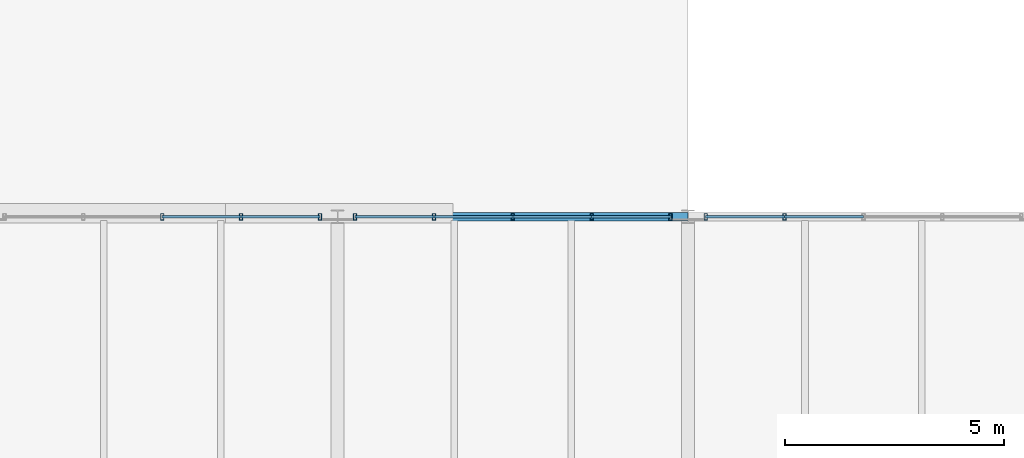
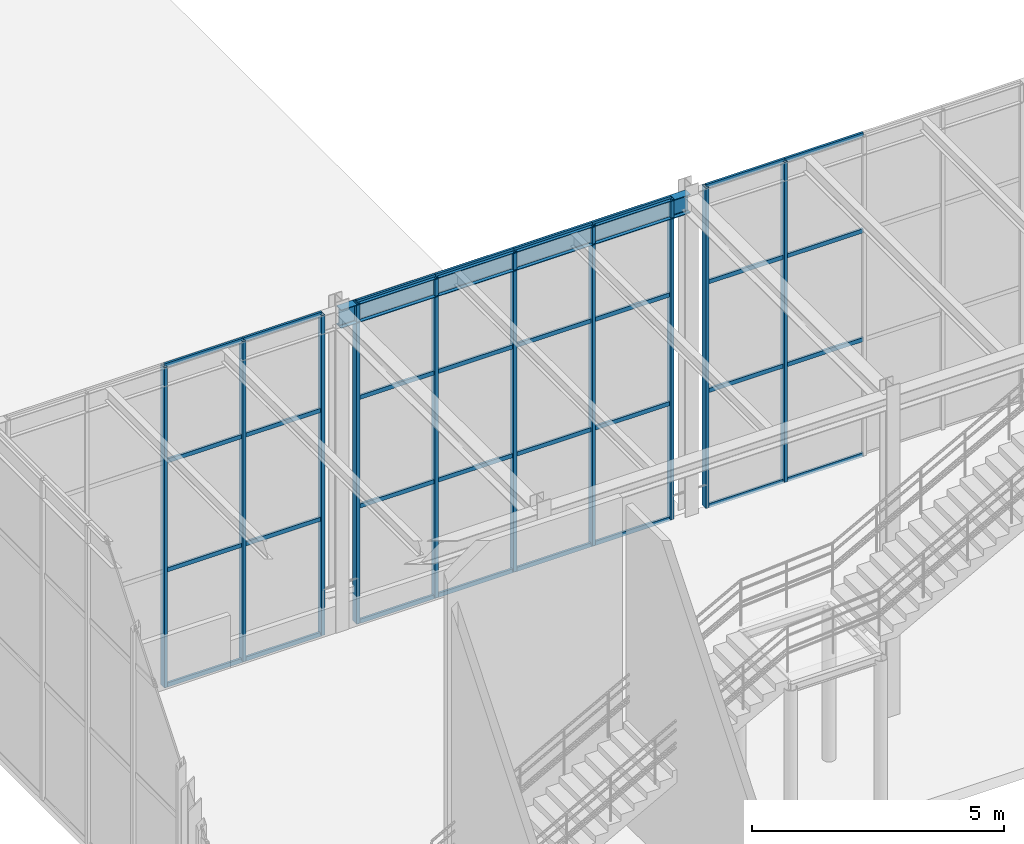
# One storey, part 50 of 138: 42 members, 1 beam, 3 elements without a shape of their own.
"""IFC4 building model written with IfcOpenShell, lengths in metres."""

from ifc_helpers import new_model, si_unit, direction, frame, origin, origin_2d, place, context, subcontext, project, spatial, hollow_rectangle, i_section, extrude, material, material_profile, profile_set, type_object, element, aggregate, save


model = new_model("IFC4")

# Units and contexts
model_context = context("Model", 3, precision=1e-05, world=origin(), true_north=direction((0.0, 1.0)))
body_context = subcontext(model_context, "Body", "Model", "MODEL_VIEW")
ifc_project = project(units=[si_unit("LENGTHUNIT", "METRE"), si_unit("AREAUNIT", "SQUARE_METRE"), si_unit("VOLUMEUNIT", "CUBIC_METRE"), si_unit("PLANEANGLEUNIT", "RADIAN"), si_unit("MASSUNIT", "GRAM", prefix="KILO")], contexts=[model_context])

# Site, building, storey
site_placement = place(None, origin())
site = spatial("IfcSite", under=ifc_project, at=site_placement, CompositionType="ELEMENT")
building_placement = place(site_placement, origin())
building = spatial("IfcBuilding", under=site, at=building_placement, Name="Sundkrona Museum", CompositionType="ELEMENT")
storey_placement = place(building_placement, frame((0.0, 0.0, 9.60009765625)))
storey = spatial("IfcBuildingStorey", under=building, at=storey_placement, Name="L02", CompositionType="ELEMENT", Elevation=9.60009765625)

# Curtain wall, members
ifc_material_1 = material(Name="Unitised Aluminium-Steel and Ceramic-Clad Curtain Walling", Category="steel")
curtain_wall_type = type_object("IfcCurtainWallType", Name="CW-AT-72x74", PredefinedType="NOTDEFINED", material=ifc_material_1)
curtain_wall_1_placement = place(storey_placement, origin())
curtain_wall_1 = element("IfcCurtainWall", 1, at=curtain_wall_1_placement, inside=storey, type_object=curtain_wall_type, Name="L02 Curtain Wall CW-L02-053", PredefinedType="NOTDEFINED")
ifc_material_2 = material(Name="Aluminium EN AW-6060 T66", Category="aluminium")
ifc_material_profile_1 = material_profile(ifc_material_2, hollow_rectangle(XDim=0.074951171875, YDim=0.14990234375, WallThickness=0.00634765625, at=origin_2d()), Name="RHS 150x75x6.3")
ifc_profile_set_1 = profile_set([ifc_material_profile_1], Name="Aluminium EN AW-6060 T66")
member_type_1 = type_object("IfcMemberType", Name="ML-150", PredefinedType="MULLION", material=ifc_profile_set_1)
member_1_placement = place(storey_placement, frame((84.0, 40.0, -0.004150390625), z_axis=(0.0, 0.0, 1.0), x_axis=(1.0, 0.0, 0.0)))
member_1 = element("IfcMember", 2, at=member_1_placement, type_object=member_type_1, Name="CW-L02-053 Mullion 03", PredefinedType="MULLION", context=body_context, shape_type="SweptSolid", body=[
    extrude(hollow_rectangle(XDim=0.074951171875, YDim=0.14990234375, WallThickness=0.00634765625, at=origin_2d()), origin(), (0.0, 0.0, 1.0), 7.748046875),
])
member_2_placement = place(storey_placement, frame((85.800048828125, 40.0, -0.004150390625), z_axis=(0.0, 0.0, 1.0), x_axis=(1.0, 0.0, 0.0)))
member_2 = element("IfcMember", 3, at=member_2_placement, type_object=member_type_1, Name="CW-L02-053 Mullion 04", PredefinedType="MULLION", context=body_context, shape_type="SweptSolid", body=[
    extrude(hollow_rectangle(XDim=0.074951171875, YDim=0.14990234375, WallThickness=0.00634765625, at=origin_2d()), origin(), (0.0, 0.0, 1.0), 7.748046875),
])
member_3_placement = place(storey_placement, frame((87.60009765625, 40.0, -0.004150390625), z_axis=(0.0, 0.0, 1.0), x_axis=(1.0, 0.0, 0.0)))
member_3 = element("IfcMember", 4, at=member_3_placement, type_object=member_type_1, Name="CW-L02-053 Mullion 05", PredefinedType="MULLION", context=body_context, shape_type="SweptSolid", body=[
    extrude(hollow_rectangle(XDim=0.074951171875, YDim=0.14990234375, WallThickness=0.00634765625, at=origin_2d()), origin(), (0.0, 0.0, 1.0), 7.748046875),
])

curtain_wall_2_placement = place(storey_placement, origin())
curtain_wall_2 = element("IfcCurtainWall", 5, at=curtain_wall_2_placement, inside=storey, type_object=curtain_wall_type, Name="L02 Curtain Wall CW-L02-054", PredefinedType="NOTDEFINED")
member_4_placement = place(storey_placement, frame((88.39990234375, 40.0, -0.004150390625), z_axis=(0.0, 0.0, 1.0), x_axis=(1.0, 0.0, 0.0)))
member_4 = element("IfcMember", 6, at=member_4_placement, type_object=member_type_1, Name="CW-L02-054 Mullion 01", PredefinedType="MULLION", context=body_context, shape_type="SweptSolid", body=[
    extrude(hollow_rectangle(XDim=0.074951171875, YDim=0.14990234375, WallThickness=0.00634765625, at=origin_2d()), origin(), (0.0, 0.0, 1.0), 7.748046875),
])
member_5_placement = place(storey_placement, frame((90.199951171875, 40.0, -0.004150390625), z_axis=(0.0, 0.0, 1.0), x_axis=(1.0, 0.0, 0.0)))
member_5 = element("IfcMember", 7, at=member_5_placement, type_object=member_type_1, Name="CW-L02-054 Mullion 02", PredefinedType="MULLION", context=body_context, shape_type="SweptSolid", body=[
    extrude(hollow_rectangle(XDim=0.074951171875, YDim=0.14990234375, WallThickness=0.00634765625, at=origin_2d()), origin(), (0.0, 0.0, 1.0), 7.748046875),
])
member_6_placement = place(storey_placement, frame((92.0, 40.0, -0.004150390625), z_axis=(0.0, 0.0, 1.0), x_axis=(1.0, 0.0, 0.0)))
member_6 = element("IfcMember", 8, at=member_6_placement, type_object=member_type_1, Name="CW-L02-054 Mullion 03", PredefinedType="MULLION", context=body_context, shape_type="SweptSolid", body=[
    extrude(hollow_rectangle(XDim=0.074951171875, YDim=0.14990234375, WallThickness=0.00634765625, at=origin_2d()), origin(), (0.0, 0.0, 1.0), 7.748046875),
])
member_7_placement = place(storey_placement, frame((93.800048828125, 40.0, -0.004150390625), z_axis=(0.0, 0.0, 1.0), x_axis=(1.0, 0.0, 0.0)))
member_7 = element("IfcMember", 9, at=member_7_placement, type_object=member_type_1, Name="CW-L02-054 Mullion 04", PredefinedType="MULLION", context=body_context, shape_type="SweptSolid", body=[
    extrude(hollow_rectangle(XDim=0.074951171875, YDim=0.14990234375, WallThickness=0.00634765625, at=origin_2d()), origin(), (0.0, 0.0, 1.0), 7.748046875),
])
member_8_placement = place(storey_placement, frame((95.60009765625, 40.0, -0.004150390625), z_axis=(0.0, 0.0, 1.0), x_axis=(1.0, 0.0, 0.0)))
member_8 = element("IfcMember", 10, at=member_8_placement, type_object=member_type_1, Name="CW-L02-054 Mullion 05", PredefinedType="MULLION", context=body_context, shape_type="SweptSolid", body=[
    extrude(hollow_rectangle(XDim=0.074951171875, YDim=0.14990234375, WallThickness=0.00634765625, at=origin_2d()), origin(), (0.0, 0.0, 1.0), 7.748046875),
])

curtain_wall_3_placement = place(storey_placement, origin())
curtain_wall_3 = element("IfcCurtainWall", 11, at=curtain_wall_3_placement, inside=storey, type_object=curtain_wall_type, Name="L02 Curtain Wall CW-L02-055", PredefinedType="NOTDEFINED")
member_9_placement = place(storey_placement, frame((96.39990234375, 40.0, -0.004150390625), z_axis=(0.0, 0.0, 1.0), x_axis=(1.0, 0.0, 0.0)))
member_9 = element("IfcMember", 12, at=member_9_placement, type_object=member_type_1, Name="CW-L02-055 Mullion 01", PredefinedType="MULLION", context=body_context, shape_type="SweptSolid", body=[
    extrude(hollow_rectangle(XDim=0.074951171875, YDim=0.14990234375, WallThickness=0.00634765625, at=origin_2d()), origin(), (0.0, 0.0, 1.0), 7.748046875),
])
member_10_placement = place(storey_placement, frame((98.199951171875, 40.0, -0.004150390625), z_axis=(0.0, 0.0, 1.0), x_axis=(1.0, 0.0, 0.0)))
member_10 = element("IfcMember", 13, at=member_10_placement, type_object=member_type_1, Name="CW-L02-055 Mullion 02", PredefinedType="MULLION", context=body_context, shape_type="SweptSolid", body=[
    extrude(hollow_rectangle(XDim=0.074951171875, YDim=0.14990234375, WallThickness=0.00634765625, at=origin_2d()), origin(), (0.0, 0.0, 1.0), 7.748046875),
])

# Beam
ifc_material_3 = material(Name="Steel S355J2", Category="steel")
ifc_material_profile_2 = material_profile(ifc_material_3, i_section(OverallWidth=0.18994140625, OverallDepth=0.449951171875, WebThickness=0.009521484375, FlangeThickness=0.0146484375, FilletRadius=0.02099609375, at=origin_2d()), Name="IPE 450")
ifc_profile_set_2 = profile_set([ifc_material_profile_2], Name="Steel S355J2")
beam_type = type_object("IfcBeamType", Name="SP-IPE450", PredefinedType="SPANDREL", material=ifc_profile_set_2)
beam_placement = place(storey_placement, frame((88.0, 40.0, 7.514892578125), z_axis=(1.0, 0.0, 0.0), x_axis=(0.0, 1.0, 0.0)))
element("IfcBeam", 14, at=beam_placement, inside=storey, type_object=beam_type, Name="L02 Girder X-1165", PredefinedType="SPANDREL", context=body_context, shape_type="SweptSolid", body=[
    extrude(i_section(OverallWidth=0.18994140625, OverallDepth=0.449951171875, WebThickness=0.009521484375, FlangeThickness=0.0146484375, FilletRadius=0.02099609375, at=origin_2d()), origin(), (0.0, 0.0, 1.0), 8.0),
])

# Member
ifc_material_profile_3 = material_profile(ifc_material_2, hollow_rectangle(XDim=0.050048828125, YDim=0.10009765625, WallThickness=0.0048828125, at=origin_2d()), Name="RHS 100x50x5.0")
ifc_profile_set_3 = profile_set([ifc_material_profile_3], Name="Aluminium EN AW-6060 T66")
member_type_2 = type_object("IfcMemberType", Name="TR-100", PredefinedType="USERDEFINED", material=ifc_profile_set_3)
member_11_placement = place(storey_placement, frame((84.0, 40.0, -0.004150390625), z_axis=(1.0, 0.0, 0.0), x_axis=(0.0, 1.0, 0.0)))
member_11 = element("IfcMember", 15, at=member_11_placement, type_object=member_type_2, Name="CW-L02-053 Transom 09", ObjectType="TRANSOM", PredefinedType="USERDEFINED", context=body_context, shape_type="SweptSolid", body=[
    extrude(hollow_rectangle(XDim=0.050048828125, YDim=0.10009765625, WallThickness=0.0048828125, at=origin_2d()), origin(), (0.0, 0.0, 1.0), 1.800048828125),
])

member_12_placement = place(storey_placement, frame((84.0, 40.0, 2.785888671875), z_axis=(1.0, 0.0, 0.0), x_axis=(0.0, 1.0, 0.0)))
member_12 = element("IfcMember", 16, at=member_12_placement, type_object=member_type_2, Name="CW-L02-053 Transom 10", ObjectType="TRANSOM", PredefinedType="USERDEFINED", context=body_context, shape_type="SweptSolid", body=[
    extrude(hollow_rectangle(XDim=0.050048828125, YDim=0.10009765625, WallThickness=0.0048828125, at=origin_2d()), origin(), (0.0, 0.0, 1.0), 1.800048828125),
])

member_13_placement = place(storey_placement, frame((84.0, 40.0, 5.41796875), z_axis=(1.0, 0.0, 0.0), x_axis=(0.0, 1.0, 0.0)))
member_13 = element("IfcMember", 17, at=member_13_placement, type_object=member_type_2, Name="CW-L02-053 Transom 11", ObjectType="TRANSOM", PredefinedType="USERDEFINED", context=body_context, shape_type="SweptSolid", body=[
    extrude(hollow_rectangle(XDim=0.050048828125, YDim=0.10009765625, WallThickness=0.0048828125, at=origin_2d()), origin(), (0.0, 0.0, 1.0), 1.800048828125),
])

member_14_placement = place(storey_placement, frame((84.0, 40.0, 7.743896484375), z_axis=(1.0, 0.0, 0.0), x_axis=(0.0, 1.0, 0.0)))
member_14 = element("IfcMember", 18, at=member_14_placement, type_object=member_type_2, Name="CW-L02-053 Transom 12", ObjectType="TRANSOM", PredefinedType="USERDEFINED", context=body_context, shape_type="SweptSolid", body=[
    extrude(hollow_rectangle(XDim=0.050048828125, YDim=0.10009765625, WallThickness=0.0048828125, at=origin_2d()), origin(), (0.0, 0.0, 1.0), 1.800048828125),
])

member_15_placement = place(storey_placement, frame((85.800048828125, 40.0, -0.004150390625), z_axis=(1.0, 0.0, 0.0), x_axis=(0.0, 1.0, 0.0)))
member_15 = element("IfcMember", 19, at=member_15_placement, type_object=member_type_2, Name="CW-L02-053 Transom 13", ObjectType="TRANSOM", PredefinedType="USERDEFINED", context=body_context, shape_type="SweptSolid", body=[
    extrude(hollow_rectangle(XDim=0.050048828125, YDim=0.10009765625, WallThickness=0.0048828125, at=origin_2d()), origin(), (0.0, 0.0, 1.0), 1.800048828125),
])

member_16_placement = place(storey_placement, frame((85.800048828125, 40.0, 2.785888671875), z_axis=(1.0, 0.0, 0.0), x_axis=(0.0, 1.0, 0.0)))
member_16 = element("IfcMember", 20, at=member_16_placement, type_object=member_type_2, Name="CW-L02-053 Transom 14", ObjectType="TRANSOM", PredefinedType="USERDEFINED", context=body_context, shape_type="SweptSolid", body=[
    extrude(hollow_rectangle(XDim=0.050048828125, YDim=0.10009765625, WallThickness=0.0048828125, at=origin_2d()), origin(), (0.0, 0.0, 1.0), 1.800048828125),
])

member_17_placement = place(storey_placement, frame((85.800048828125, 40.0, 5.41796875), z_axis=(1.0, 0.0, 0.0), x_axis=(0.0, 1.0, 0.0)))
member_17 = element("IfcMember", 21, at=member_17_placement, type_object=member_type_2, Name="CW-L02-053 Transom 15", ObjectType="TRANSOM", PredefinedType="USERDEFINED", context=body_context, shape_type="SweptSolid", body=[
    extrude(hollow_rectangle(XDim=0.050048828125, YDim=0.10009765625, WallThickness=0.0048828125, at=origin_2d()), origin(), (0.0, 0.0, 1.0), 1.800048828125),
])

member_18_placement = place(storey_placement, frame((85.800048828125, 40.0, 7.743896484375), z_axis=(1.0, 0.0, 0.0), x_axis=(0.0, 1.0, 0.0)))
member_18 = element("IfcMember", 22, at=member_18_placement, type_object=member_type_2, Name="CW-L02-053 Transom 16", ObjectType="TRANSOM", PredefinedType="USERDEFINED", context=body_context, shape_type="SweptSolid", body=[
    extrude(hollow_rectangle(XDim=0.050048828125, YDim=0.10009765625, WallThickness=0.0048828125, at=origin_2d()), origin(), (0.0, 0.0, 1.0), 1.800048828125),
])

aggregate(curtain_wall_1, [member_1, member_2, member_3, member_11, member_12, member_13, member_14, member_15, member_16, member_17, member_18])

member_19_placement = place(storey_placement, frame((88.39990234375, 40.0, -0.004150390625), z_axis=(1.0, 0.0, 0.0), x_axis=(0.0, 1.0, 0.0)))
member_19 = element("IfcMember", 23, at=member_19_placement, type_object=member_type_2, Name="CW-L02-054 Transom 01", ObjectType="TRANSOM", PredefinedType="USERDEFINED", context=body_context, shape_type="SweptSolid", body=[
    extrude(hollow_rectangle(XDim=0.050048828125, YDim=0.10009765625, WallThickness=0.0048828125, at=origin_2d()), origin(), (0.0, 0.0, 1.0), 1.800048828125),
])

member_20_placement = place(storey_placement, frame((88.39990234375, 40.0, 2.785888671875), z_axis=(1.0, 0.0, 0.0), x_axis=(0.0, 1.0, 0.0)))
member_20 = element("IfcMember", 24, at=member_20_placement, type_object=member_type_2, Name="CW-L02-054 Transom 02", ObjectType="TRANSOM", PredefinedType="USERDEFINED", context=body_context, shape_type="SweptSolid", body=[
    extrude(hollow_rectangle(XDim=0.050048828125, YDim=0.10009765625, WallThickness=0.0048828125, at=origin_2d()), origin(), (0.0, 0.0, 1.0), 1.800048828125),
])

member_21_placement = place(storey_placement, frame((88.39990234375, 40.0, 5.41796875), z_axis=(1.0, 0.0, 0.0), x_axis=(0.0, 1.0, 0.0)))
member_21 = element("IfcMember", 25, at=member_21_placement, type_object=member_type_2, Name="CW-L02-054 Transom 03", ObjectType="TRANSOM", PredefinedType="USERDEFINED", context=body_context, shape_type="SweptSolid", body=[
    extrude(hollow_rectangle(XDim=0.050048828125, YDim=0.10009765625, WallThickness=0.0048828125, at=origin_2d()), origin(), (0.0, 0.0, 1.0), 1.800048828125),
])

member_22_placement = place(storey_placement, frame((88.39990234375, 40.0, 7.743896484375), z_axis=(1.0, 0.0, 0.0), x_axis=(0.0, 1.0, 0.0)))
member_22 = element("IfcMember", 26, at=member_22_placement, type_object=member_type_2, Name="CW-L02-054 Transom 04", ObjectType="TRANSOM", PredefinedType="USERDEFINED", context=body_context, shape_type="SweptSolid", body=[
    extrude(hollow_rectangle(XDim=0.050048828125, YDim=0.10009765625, WallThickness=0.0048828125, at=origin_2d()), origin(), (0.0, 0.0, 1.0), 1.800048828125),
])

member_23_placement = place(storey_placement, frame((90.199951171875, 40.0, -0.004150390625), z_axis=(1.0, 0.0, 0.0), x_axis=(0.0, 1.0, 0.0)))
member_23 = element("IfcMember", 27, at=member_23_placement, type_object=member_type_2, Name="CW-L02-054 Transom 05", ObjectType="TRANSOM", PredefinedType="USERDEFINED", context=body_context, shape_type="SweptSolid", body=[
    extrude(hollow_rectangle(XDim=0.050048828125, YDim=0.10009765625, WallThickness=0.0048828125, at=origin_2d()), origin(), (0.0, 0.0, 1.0), 1.800048828125),
])

member_24_placement = place(storey_placement, frame((90.199951171875, 40.0, 2.785888671875), z_axis=(1.0, 0.0, 0.0), x_axis=(0.0, 1.0, 0.0)))
member_24 = element("IfcMember", 28, at=member_24_placement, type_object=member_type_2, Name="CW-L02-054 Transom 06", ObjectType="TRANSOM", PredefinedType="USERDEFINED", context=body_context, shape_type="SweptSolid", body=[
    extrude(hollow_rectangle(XDim=0.050048828125, YDim=0.10009765625, WallThickness=0.0048828125, at=origin_2d()), origin(), (0.0, 0.0, 1.0), 1.800048828125),
])

member_25_placement = place(storey_placement, frame((90.199951171875, 40.0, 5.41796875), z_axis=(1.0, 0.0, 0.0), x_axis=(0.0, 1.0, 0.0)))
member_25 = element("IfcMember", 29, at=member_25_placement, type_object=member_type_2, Name="CW-L02-054 Transom 07", ObjectType="TRANSOM", PredefinedType="USERDEFINED", context=body_context, shape_type="SweptSolid", body=[
    extrude(hollow_rectangle(XDim=0.050048828125, YDim=0.10009765625, WallThickness=0.0048828125, at=origin_2d()), origin(), (0.0, 0.0, 1.0), 1.800048828125),
])

member_26_placement = place(storey_placement, frame((90.199951171875, 40.0, 7.743896484375), z_axis=(1.0, 0.0, 0.0), x_axis=(0.0, 1.0, 0.0)))
member_26 = element("IfcMember", 30, at=member_26_placement, type_object=member_type_2, Name="CW-L02-054 Transom 08", ObjectType="TRANSOM", PredefinedType="USERDEFINED", context=body_context, shape_type="SweptSolid", body=[
    extrude(hollow_rectangle(XDim=0.050048828125, YDim=0.10009765625, WallThickness=0.0048828125, at=origin_2d()), origin(), (0.0, 0.0, 1.0), 1.800048828125),
])

member_27_placement = place(storey_placement, frame((92.0, 40.0, -0.004150390625), z_axis=(1.0, 0.0, 0.0), x_axis=(0.0, 1.0, 0.0)))
member_27 = element("IfcMember", 31, at=member_27_placement, type_object=member_type_2, Name="CW-L02-054 Transom 09", ObjectType="TRANSOM", PredefinedType="USERDEFINED", context=body_context, shape_type="SweptSolid", body=[
    extrude(hollow_rectangle(XDim=0.050048828125, YDim=0.10009765625, WallThickness=0.0048828125, at=origin_2d()), origin(), (0.0, 0.0, 1.0), 1.800048828125),
])

member_28_placement = place(storey_placement, frame((92.0, 40.0, 2.785888671875), z_axis=(1.0, 0.0, 0.0), x_axis=(0.0, 1.0, 0.0)))
member_28 = element("IfcMember", 32, at=member_28_placement, type_object=member_type_2, Name="CW-L02-054 Transom 10", ObjectType="TRANSOM", PredefinedType="USERDEFINED", context=body_context, shape_type="SweptSolid", body=[
    extrude(hollow_rectangle(XDim=0.050048828125, YDim=0.10009765625, WallThickness=0.0048828125, at=origin_2d()), origin(), (0.0, 0.0, 1.0), 1.800048828125),
])

member_29_placement = place(storey_placement, frame((92.0, 40.0, 5.41796875), z_axis=(1.0, 0.0, 0.0), x_axis=(0.0, 1.0, 0.0)))
member_29 = element("IfcMember", 33, at=member_29_placement, type_object=member_type_2, Name="CW-L02-054 Transom 11", ObjectType="TRANSOM", PredefinedType="USERDEFINED", context=body_context, shape_type="SweptSolid", body=[
    extrude(hollow_rectangle(XDim=0.050048828125, YDim=0.10009765625, WallThickness=0.0048828125, at=origin_2d()), origin(), (0.0, 0.0, 1.0), 1.800048828125),
])

member_30_placement = place(storey_placement, frame((92.0, 40.0, 7.743896484375), z_axis=(1.0, 0.0, 0.0), x_axis=(0.0, 1.0, 0.0)))
member_30 = element("IfcMember", 34, at=member_30_placement, type_object=member_type_2, Name="CW-L02-054 Transom 12", ObjectType="TRANSOM", PredefinedType="USERDEFINED", context=body_context, shape_type="SweptSolid", body=[
    extrude(hollow_rectangle(XDim=0.050048828125, YDim=0.10009765625, WallThickness=0.0048828125, at=origin_2d()), origin(), (0.0, 0.0, 1.0), 1.800048828125),
])

member_31_placement = place(storey_placement, frame((93.800048828125, 40.0, -0.004150390625), z_axis=(1.0, 0.0, 0.0), x_axis=(0.0, 1.0, 0.0)))
member_31 = element("IfcMember", 35, at=member_31_placement, type_object=member_type_2, Name="CW-L02-054 Transom 13", ObjectType="TRANSOM", PredefinedType="USERDEFINED", context=body_context, shape_type="SweptSolid", body=[
    extrude(hollow_rectangle(XDim=0.050048828125, YDim=0.10009765625, WallThickness=0.0048828125, at=origin_2d()), origin(), (0.0, 0.0, 1.0), 1.800048828125),
])

member_32_placement = place(storey_placement, frame((93.800048828125, 40.0, 2.785888671875), z_axis=(1.0, 0.0, 0.0), x_axis=(0.0, 1.0, 0.0)))
member_32 = element("IfcMember", 36, at=member_32_placement, type_object=member_type_2, Name="CW-L02-054 Transom 14", ObjectType="TRANSOM", PredefinedType="USERDEFINED", context=body_context, shape_type="SweptSolid", body=[
    extrude(hollow_rectangle(XDim=0.050048828125, YDim=0.10009765625, WallThickness=0.0048828125, at=origin_2d()), origin(), (0.0, 0.0, 1.0), 1.800048828125),
])

member_33_placement = place(storey_placement, frame((93.800048828125, 40.0, 5.41796875), z_axis=(1.0, 0.0, 0.0), x_axis=(0.0, 1.0, 0.0)))
member_33 = element("IfcMember", 37, at=member_33_placement, type_object=member_type_2, Name="CW-L02-054 Transom 15", ObjectType="TRANSOM", PredefinedType="USERDEFINED", context=body_context, shape_type="SweptSolid", body=[
    extrude(hollow_rectangle(XDim=0.050048828125, YDim=0.10009765625, WallThickness=0.0048828125, at=origin_2d()), origin(), (0.0, 0.0, 1.0), 1.800048828125),
])

member_34_placement = place(storey_placement, frame((93.800048828125, 40.0, 7.743896484375), z_axis=(1.0, 0.0, 0.0), x_axis=(0.0, 1.0, 0.0)))
member_34 = element("IfcMember", 38, at=member_34_placement, type_object=member_type_2, Name="CW-L02-054 Transom 16", ObjectType="TRANSOM", PredefinedType="USERDEFINED", context=body_context, shape_type="SweptSolid", body=[
    extrude(hollow_rectangle(XDim=0.050048828125, YDim=0.10009765625, WallThickness=0.0048828125, at=origin_2d()), origin(), (0.0, 0.0, 1.0), 1.800048828125),
])

aggregate(curtain_wall_2, [member_4, member_5, member_6, member_7, member_8, member_19, member_20, member_21, member_22, member_23, member_24, member_25, member_26, member_27, member_28, member_29, member_30, member_31, member_32, member_33, member_34])

member_35_placement = place(storey_placement, frame((96.39990234375, 40.0, -0.004150390625), z_axis=(1.0, 0.0, 0.0), x_axis=(0.0, 1.0, 0.0)))
member_35 = element("IfcMember", 39, at=member_35_placement, type_object=member_type_2, Name="CW-L02-055 Transom 01", ObjectType="TRANSOM", PredefinedType="USERDEFINED", context=body_context, shape_type="SweptSolid", body=[
    extrude(hollow_rectangle(XDim=0.050048828125, YDim=0.10009765625, WallThickness=0.0048828125, at=origin_2d()), origin(), (0.0, 0.0, 1.0), 1.800048828125),
])

member_36_placement = place(storey_placement, frame((96.39990234375, 40.0, 2.785888671875), z_axis=(1.0, 0.0, 0.0), x_axis=(0.0, 1.0, 0.0)))
member_36 = element("IfcMember", 40, at=member_36_placement, type_object=member_type_2, Name="CW-L02-055 Transom 02", ObjectType="TRANSOM", PredefinedType="USERDEFINED", context=body_context, shape_type="SweptSolid", body=[
    extrude(hollow_rectangle(XDim=0.050048828125, YDim=0.10009765625, WallThickness=0.0048828125, at=origin_2d()), origin(), (0.0, 0.0, 1.0), 1.800048828125),
])

member_37_placement = place(storey_placement, frame((96.39990234375, 40.0, 5.41796875), z_axis=(1.0, 0.0, 0.0), x_axis=(0.0, 1.0, 0.0)))
member_37 = element("IfcMember", 41, at=member_37_placement, type_object=member_type_2, Name="CW-L02-055 Transom 03", ObjectType="TRANSOM", PredefinedType="USERDEFINED", context=body_context, shape_type="SweptSolid", body=[
    extrude(hollow_rectangle(XDim=0.050048828125, YDim=0.10009765625, WallThickness=0.0048828125, at=origin_2d()), origin(), (0.0, 0.0, 1.0), 1.800048828125),
])

member_38_placement = place(storey_placement, frame((96.39990234375, 40.0, 7.743896484375), z_axis=(1.0, 0.0, 0.0), x_axis=(0.0, 1.0, 0.0)))
member_38 = element("IfcMember", 42, at=member_38_placement, type_object=member_type_2, Name="CW-L02-055 Transom 04", ObjectType="TRANSOM", PredefinedType="USERDEFINED", context=body_context, shape_type="SweptSolid", body=[
    extrude(hollow_rectangle(XDim=0.050048828125, YDim=0.10009765625, WallThickness=0.0048828125, at=origin_2d()), origin(), (0.0, 0.0, 1.0), 1.800048828125),
])

member_39_placement = place(storey_placement, frame((98.199951171875, 40.0, -0.004150390625), z_axis=(1.0, 0.0, 0.0), x_axis=(0.0, 1.0, 0.0)))
member_39 = element("IfcMember", 43, at=member_39_placement, type_object=member_type_2, Name="CW-L02-055 Transom 05", ObjectType="TRANSOM", PredefinedType="USERDEFINED", context=body_context, shape_type="SweptSolid", body=[
    extrude(hollow_rectangle(XDim=0.050048828125, YDim=0.10009765625, WallThickness=0.0048828125, at=origin_2d()), origin(), (0.0, 0.0, 1.0), 1.800048828125),
])

member_40_placement = place(storey_placement, frame((98.199951171875, 40.0, 2.785888671875), z_axis=(1.0, 0.0, 0.0), x_axis=(0.0, 1.0, 0.0)))
member_40 = element("IfcMember", 44, at=member_40_placement, type_object=member_type_2, Name="CW-L02-055 Transom 06", ObjectType="TRANSOM", PredefinedType="USERDEFINED", context=body_context, shape_type="SweptSolid", body=[
    extrude(hollow_rectangle(XDim=0.050048828125, YDim=0.10009765625, WallThickness=0.0048828125, at=origin_2d()), origin(), (0.0, 0.0, 1.0), 1.800048828125),
])

member_41_placement = place(storey_placement, frame((98.199951171875, 40.0, 5.41796875), z_axis=(1.0, 0.0, 0.0), x_axis=(0.0, 1.0, 0.0)))
member_41 = element("IfcMember", 45, at=member_41_placement, type_object=member_type_2, Name="CW-L02-055 Transom 07", ObjectType="TRANSOM", PredefinedType="USERDEFINED", context=body_context, shape_type="SweptSolid", body=[
    extrude(hollow_rectangle(XDim=0.050048828125, YDim=0.10009765625, WallThickness=0.0048828125, at=origin_2d()), origin(), (0.0, 0.0, 1.0), 1.800048828125),
])

member_42_placement = place(storey_placement, frame((98.199951171875, 40.0, 7.743896484375), z_axis=(1.0, 0.0, 0.0), x_axis=(0.0, 1.0, 0.0)))
member_42 = element("IfcMember", 46, at=member_42_placement, type_object=member_type_2, Name="CW-L02-055 Transom 08", ObjectType="TRANSOM", PredefinedType="USERDEFINED", context=body_context, shape_type="SweptSolid", body=[
    extrude(hollow_rectangle(XDim=0.050048828125, YDim=0.10009765625, WallThickness=0.0048828125, at=origin_2d()), origin(), (0.0, 0.0, 1.0), 1.800048828125),
])

aggregate(curtain_wall_3, [member_9, member_10, member_35, member_36, member_37, member_38, member_39, member_40, member_41, member_42])

save(model, "model.ifc")
